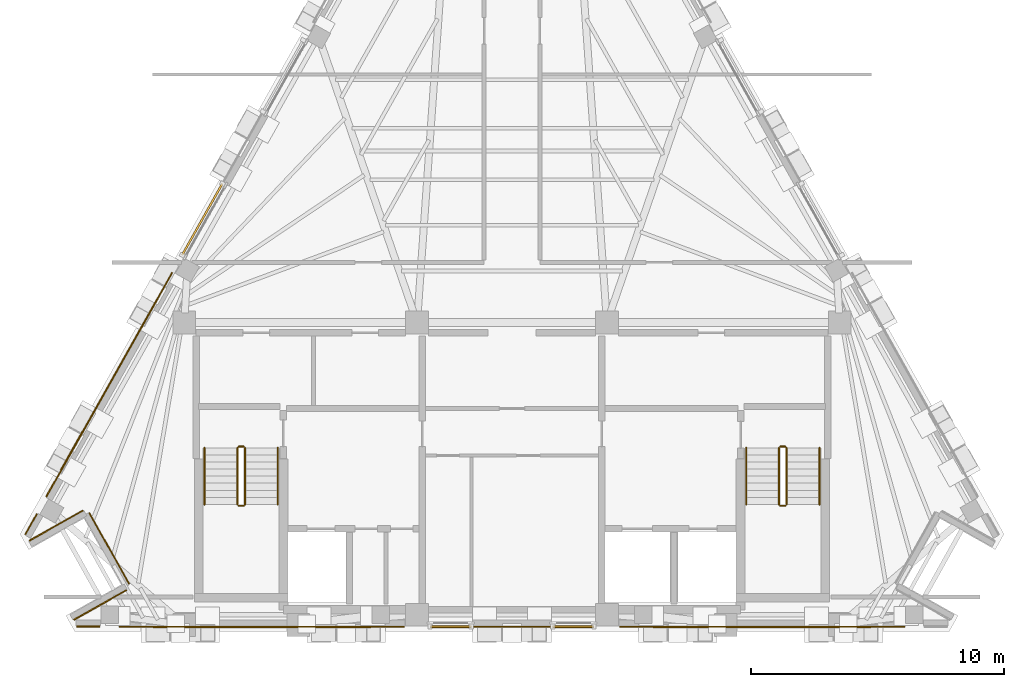
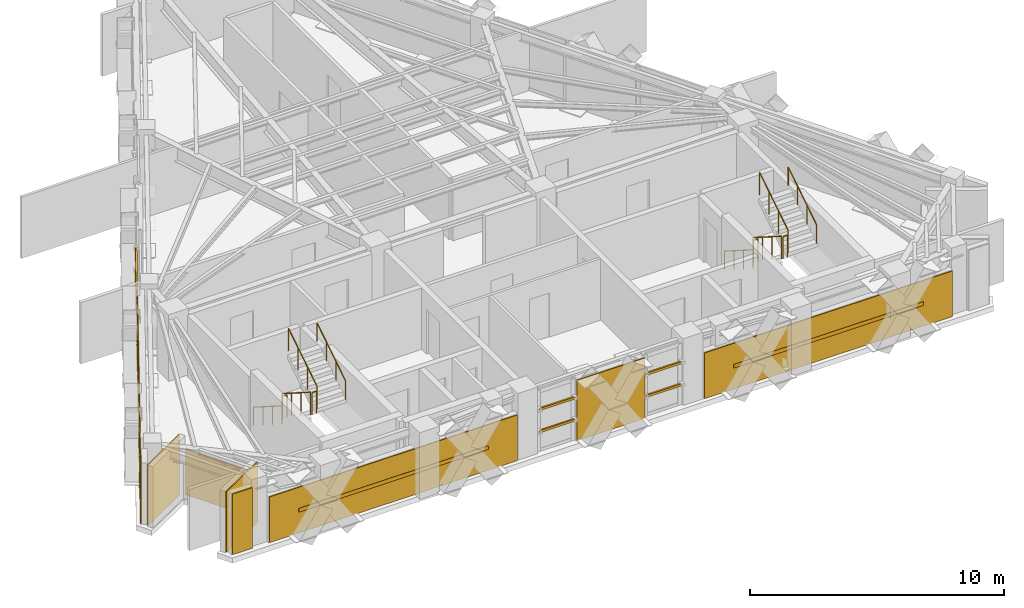
# One storey, part 7 of 8: 12 railings, 9 coverings, 9 shading devices.
"""IFC4 building model written with IfcOpenShell, lengths in metres."""

from ifc_helpers import new_model, si_unit, direction, frame, origin, origin_2d, place, context, subcontext, project, spatial, polyline, rectangle, circle, outline, extrude, material, layer, layer_set, material_profile, profile_set, type_object, element, save


model = new_model("IFC4")

# Units and contexts
model_context = context("Model", 3, precision=1e-05, world=origin(), true_north=direction((0.0, 1.0)))
body_context = subcontext(model_context, "Body", "Model", "MODEL_VIEW")
ifc_project = project(units=[si_unit("LENGTHUNIT", "METRE"), si_unit("AREAUNIT", "SQUARE_METRE"), si_unit("VOLUMEUNIT", "CUBIC_METRE"), si_unit("PLANEANGLEUNIT", "RADIAN"), si_unit("MASSUNIT", "GRAM", prefix="KILO")], contexts=[model_context])

# Site, building, storey
site_placement = place(None, origin())
site = spatial("IfcSite", under=ifc_project, at=site_placement, CompositionType="ELEMENT")
building_placement = place(site_placement, origin())
building = spatial("IfcBuilding", under=site, at=building_placement, Name="Quenlor Broadcast Tower", CompositionType="ELEMENT")
storey_placement = place(building_placement, frame((0.0, 0.0, 283.699951171875)))
storey = spatial("IfcBuildingStorey", under=building, at=storey_placement, Name="L79", CompositionType="ELEMENT", Elevation=283.699951171875)

# Shading devices
ifc_material_1 = material(Name="Architectural Terracotta Ceramic", Category="masonry")
ifc_material_profile_1 = material_profile(ifc_material_1, rectangle(XDim=0.074951171875, YDim=0.110107421875, at=origin_2d()))
ifc_profile_set_1 = profile_set([ifc_material_profile_1], Name="Architectural Terracotta Ceramic BAG75x110")
shading_device_type_1 = type_object("IfcShadingDeviceType", Name="Copper Terracotta Crown Baguette Screen 110", PredefinedType="USERDEFINED", material=ifc_profile_set_1)
for number, where, z_axis, x_axis, name in (
    (1, (3.239013671875, -16.820556640625, 1.06201171875), (-1.0, 0.0, 0.0), (0.0, -1.0, 0.0), "L79 Terracotta Baguette Screen 1"),
    (2, (3.239013671875, -16.820556640625, 2.1240234375), (-1.0, 0.0, 0.0), (0.0, -1.0, 0.0), "L79 Terracotta Baguette Screen 2"),
    (3, (-1.610107421875, -16.820556640625, 1.06201171875), (-1.0, 0.0, 0.0), (0.0, -1.0, 0.0), "L79 Terracotta Baguette Screen 1"),
    (4, (-1.610107421875, -16.820556640625, 2.1240234375), (-1.0, 0.0, 0.0), (0.0, -1.0, 0.0), "L79 Terracotta Baguette Screen 2"),
):
    element("IfcShadingDevice", number, at=place(storey_placement, frame(where, z_axis=z_axis, x_axis=x_axis)), inside=storey, type_object=shading_device_type_1, Name=name, ObjectType="BAGUETTE", PredefinedType="USERDEFINED", context=body_context, shape_type="SweptSolid", body=[
        extrude(rectangle(XDim=0.074951171875, YDim=0.110107421875, at=origin_2d()), origin(), (0.0, 0.0, 1.0), 1.62890625),
    ])
for number, where, z_axis, x_axis, name in (
    (5, (-13.033935546875, -2.1376953125, 1.06201171875), (0.490293391267, 0.87155745105, 0.0), (-0.87155745105, 0.490293391267, 0.0), "L79 Terracotta Baguette Screen 1"),
    (6, (-13.033935546875, -2.1376953125, 2.1240234375), (0.490293391267, 0.87155745105, 0.0), (-0.87155745105, 0.490293391267, 0.0), "L79 Terracotta Baguette Screen 2"),
):
    element("IfcShadingDevice", number, at=place(storey_placement, frame(where, z_axis=z_axis, x_axis=x_axis)), inside=storey, type_object=shading_device_type_1, Name=name, ObjectType="BAGUETTE", PredefinedType="USERDEFINED", context=body_context, shape_type="SweptSolid", body=[
        extrude(rectangle(XDim=0.074951171875, YDim=0.110107421875, at=origin_2d()), origin(), (0.0, 0.0, 1.0), 3.24462890625),
    ])

# Coverings
ifc_material_2 = material(Name="Architectural Terracotta Ceramic", Category="masonry")
ifc_layer = layer(ifc_material_2, 0.044921875)
ifc_layer_set = layer_set([ifc_layer], Name="Fluted Terracotta Rainscreen Cladding Panel")
covering_type = type_object("IfcCoveringType", Name="Fluted Terracotta Rainscreen Cladding Panel", PredefinedType="CLADDING", material=ifc_layer_set)
covering_1_placement = place(storey_placement, frame((0.0, 0.0, 0.02001953125)))
element("IfcCovering", 7, at=covering_1_placement, inside=storey, type_object=covering_type, Name="L79 Terracotta Rainscreen Cladding L79-SHD-SS1", PredefinedType="CLADDING", context=body_context, shape_type="SweptSolid", body=[
    extrude(outline(polyline([(-16.28271484375, -16.787109375), (-17.18994140625, -16.787109375), (-17.18994140625, -16.83203125), (-16.28271484375, -16.83203125), (-16.28271484375, -16.787109375)])), origin(), (0.0, 0.0, 1.0), 2.909912109375),
])
covering_2_placement = place(storey_placement, frame((0.0, 0.0, 0.02001953125)))
element("IfcCovering", 8, at=covering_2_placement, inside=storey, type_object=covering_type, Name="L79 Terracotta Rainscreen Cladding L79-EW-SA", PredefinedType="CLADDING", context=body_context, shape_type="SweptSolid", body=[
    extrude(outline(polyline([(15.5126953125, -16.797119140625), (4.25, -16.797119140625), (4.25, -16.842041015625), (15.5126953125, -16.842041015625), (15.5126953125, -16.797119140625)])), origin(), (0.0, 0.0, 1.0), 2.194091796875),
])
covering_3_placement = place(storey_placement, frame((0.0, 0.0, 0.02001953125)))
element("IfcCovering", 9, at=covering_3_placement, inside=storey, type_object=covering_type, Name="L79 Terracotta Rainscreen Cladding L79-EW-SC", PredefinedType="CLADDING", context=body_context, shape_type="SweptSolid", body=[
    extrude(outline(polyline([(-4.25, -16.797119140625), (-15.5126953125, -16.797119140625), (-15.5126953125, -16.842041015625), (-4.25, -16.842041015625), (-4.25, -16.797119140625)])), origin(), (0.0, 0.0, 1.0), 2.194091796875),
])
covering_4_placement = place(storey_placement, frame((0.0, 0.0, 0.02001953125)))
element("IfcCovering", 10, at=covering_4_placement, inside=storey, type_object=covering_type, Name="L79 Terracotta Rainscreen Cladding L79-S-SP1", PredefinedType="CLADDING", context=body_context, shape_type="SweptSolid", body=[
    extrude(outline(polyline([(1.5390625, -16.797119140625), (-1.5390625, -16.797119140625), (-1.5390625, -16.842041015625), (1.5390625, -16.842041015625), (1.5390625, -16.797119140625)])), origin(), (0.0, 0.0, 1.0), 2.909912109375),
])
covering_5_placement = place(storey_placement, frame((0.0, 0.0, 0.02001953125)))
element("IfcCovering", 11, at=covering_5_placement, inside=storey, type_object=covering_type, Name="L79 Terracotta Rainscreen Cladding L79-SHD-NWS0", PredefinedType="CLADDING", context=body_context, shape_type="SweptSolid", body=[
    extrude(outline(polyline([(-19.210205078125, -13.185791015625), (-18.751708984375, -12.37109375), (-18.791015625, -12.34912109375), (-19.24951171875, -13.163818359375), (-19.210205078125, -13.185791015625)])), origin(), (0.0, 0.0, 1.0), 2.909912109375),
])
covering_6_placement = place(storey_placement, frame((0.0, 0.0, 0.02001953125)))
element("IfcCovering", 12, at=covering_6_placement, inside=storey, type_object=covering_type, Name="L79 Terracotta Rainscreen Cladding L79-EW-NWA", PredefinedType="CLADDING", context=body_context, shape_type="SweptSolid", body=[
    extrude(outline(polyline([(-18.383056640625, -11.695068359375), (-13.40380859375, -2.843017578125), (-13.443115234375, -2.821044921875), (-18.42236328125, -11.673095703125), (-18.383056640625, -11.695068359375)])), origin(), (0.0, 0.0, 1.0), 2.909912109375),
])
covering_7_placement = place(storey_placement, frame((0.0, 0.0, 0.02001953125)))
element("IfcCovering", 13, at=covering_7_placement, inside=storey, type_object=covering_type, Name="L79 Terracotta Rainscreen Cladding L79-CNR-13", PredefinedType="CLADDING", context=body_context, shape_type="SweptSolid", body=[
    extrude(outline(polyline([(-19.062255859375, -13.444091796875), (-16.935546875, -12.247802734375), (-16.95751953125, -12.208740234375), (-19.084228515625, -13.405029296875), (-19.062255859375, -13.444091796875)])), origin(), (0.0, 0.0, 1.0), 2.909912109375),
])
covering_8_placement = place(storey_placement, frame((0.0, 0.0, 0.02001953125)))
element("IfcCovering", 14, at=covering_8_placement, inside=storey, type_object=covering_type, Name="L79 Terracotta Rainscreen Cladding L79-CNR-14", PredefinedType="CLADDING", context=body_context, shape_type="SweptSolid", body=[
    extrude(outline(polyline([(-16.72265625, -12.3369140625), (-15.14599609375, -15.139892578125), (-15.106689453125, -15.117919921875), (-16.683349609375, -12.31494140625), (-16.72265625, -12.3369140625)])), origin(), (0.0, 0.0, 1.0), 2.194091796875),
])
covering_9_placement = place(storey_placement, frame((0.0, 0.0, 0.02001953125)))
element("IfcCovering", 15, at=covering_9_placement, inside=storey, type_object=covering_type, Name="L79 Terracotta Rainscreen Cladding L79-CNR-15", PredefinedType="CLADDING", context=body_context, shape_type="SweptSolid", body=[
    extrude(outline(polyline([(-15.23486328125, -15.352783203125), (-17.32666015625, -16.529541015625), (-17.3046875, -16.568603515625), (-15.212890625, -15.39208984375), (-15.23486328125, -15.352783203125)])), origin(), (0.0, 0.0, 1.0), 2.909912109375),
])

# Railings
ifc_material_3 = material(Name="Anodised Aluminium", Category="aluminium")
railing_type_1 = type_object("IfcRailingType", Name="Stainless Aluminium Wall Handrail 900", PredefinedType="HANDRAIL", material=ifc_material_3)
railing_1_placement = place(storey_placement, frame((-12.14990234375, -9.75, 0.177734375)))
element("IfcRailing", 16, at=railing_1_placement, inside=storey, type_object=railing_type_1, Name="L79 ST-1 stair handrail 1", PredefinedType="HANDRAIL", context=body_context, shape_type="SweptSolid", body=[
    extrude(circle(Radius=0.02392578125, at=origin_2d()), frame((0.0, 0.0, 0.8759765625), z_axis=(0.0, -0.84418770128, 0.536047689118), x_axis=(1.0, 0.0, 0.0)), (0.0, 0.0, 1.0), 2.6533203125),
    extrude(circle(Radius=0.02099609375, at=origin_2d()), origin(), (0.0, 0.0, 1.0), 0.851806640625),
    extrude(circle(Radius=0.02099609375, at=origin_2d()), frame((0.0, -0.74658203125, 0.47412109375)), (0.0, 0.0, 1.0), 0.851806640625),
    extrude(circle(Radius=0.02099609375, at=origin_2d()), frame((0.0, -1.493408203125, 0.9482421875)), (0.0, 0.0, 1.0), 0.851806640625),
    extrude(circle(Radius=0.02099609375, at=origin_2d()), frame((0.0, -2.239990234375, 1.42236328125)), (0.0, 0.0, 1.0), 0.851806640625),
])
railing_2_placement = place(storey_placement, frame((-9.25, -11.989990234375, 1.77783203125)))
element("IfcRailing", 17, at=railing_2_placement, inside=storey, type_object=railing_type_1, Name="L79 ST-1 stair handrail 2", PredefinedType="HANDRAIL", context=body_context, shape_type="SweptSolid", body=[
    extrude(circle(Radius=0.02392578125, at=origin_2d()), frame((0.0, 0.0, 0.8759765625), z_axis=(0.0, 0.8442293374, 0.53598211339), x_axis=(-1.0, 0.0, 0.0)), (0.0, 0.0, 1.0), 2.6533203125),
    extrude(circle(Radius=0.02099609375, at=origin_2d()), origin(), (0.0, 0.0, 1.0), 0.851806640625),
    extrude(circle(Radius=0.02099609375, at=origin_2d()), frame((0.0, 0.74658203125, 0.47412109375)), (0.0, 0.0, 1.0), 0.851806640625),
    extrude(circle(Radius=0.02099609375, at=origin_2d()), frame((0.0, 1.493408203125, 0.947998046875)), (0.0, 0.0, 1.0), 0.851806640625),
    extrude(circle(Radius=0.02099609375, at=origin_2d()), frame((0.0, 2.239990234375, 1.422119140625)), (0.0, 0.0, 1.0), 0.851806640625),
])
railing_3_placement = place(storey_placement, frame((9.25, -9.75, 0.177734375)))
element("IfcRailing", 18, at=railing_3_placement, inside=storey, type_object=railing_type_1, Name="L79 ST-2 stair handrail 1", PredefinedType="HANDRAIL", context=body_context, shape_type="SweptSolid", body=[
    extrude(circle(Radius=0.02392578125, at=origin_2d()), frame((0.0, 0.0, 0.8759765625), z_axis=(0.0, -0.84418770128, 0.536047689118), x_axis=(1.0, 0.0, 0.0)), (0.0, 0.0, 1.0), 2.6533203125),
    extrude(circle(Radius=0.02099609375, at=origin_2d()), origin(), (0.0, 0.0, 1.0), 0.851806640625),
    extrude(circle(Radius=0.02099609375, at=origin_2d()), frame((0.0, -0.74658203125, 0.47412109375)), (0.0, 0.0, 1.0), 0.851806640625),
    extrude(circle(Radius=0.02099609375, at=origin_2d()), frame((0.0, -1.493408203125, 0.9482421875)), (0.0, 0.0, 1.0), 0.851806640625),
    extrude(circle(Radius=0.02099609375, at=origin_2d()), frame((0.0, -2.239990234375, 1.42236328125)), (0.0, 0.0, 1.0), 0.851806640625),
])
railing_4_placement = place(storey_placement, frame((12.14990234375, -11.989990234375, 1.77783203125)))
element("IfcRailing", 19, at=railing_4_placement, inside=storey, type_object=railing_type_1, Name="L79 ST-2 stair handrail 2", PredefinedType="HANDRAIL", context=body_context, shape_type="SweptSolid", body=[
    extrude(circle(Radius=0.02392578125, at=origin_2d()), frame((0.0, 0.0, 0.8759765625), z_axis=(0.0, 0.8442293374, 0.53598211339), x_axis=(-1.0, 0.0, 0.0)), (0.0, 0.0, 1.0), 2.6533203125),
    extrude(circle(Radius=0.02099609375, at=origin_2d()), origin(), (0.0, 0.0, 1.0), 0.851806640625),
    extrude(circle(Radius=0.02099609375, at=origin_2d()), frame((0.0, 0.74658203125, 0.47412109375)), (0.0, 0.0, 1.0), 0.851806640625),
    extrude(circle(Radius=0.02099609375, at=origin_2d()), frame((0.0, 1.493408203125, 0.947998046875)), (0.0, 0.0, 1.0), 0.851806640625),
    extrude(circle(Radius=0.02099609375, at=origin_2d()), frame((0.0, 2.239990234375, 1.422119140625)), (0.0, 0.0, 1.0), 0.851806640625),
])

# Shading devices
ifc_material_4 = material(Name="Architectural Terracotta Ceramic", Category="masonry")
ifc_material_profile_2 = material_profile(ifc_material_4, rectangle(XDim=0.06005859375, YDim=0.179931640625, at=origin_2d()))
ifc_profile_set_2 = profile_set([ifc_material_profile_2], Name="Architectural Terracotta Ceramic LVR60x180")
shading_device_type_2 = type_object("IfcShadingDeviceType", Name="Terracotta Acoustic Plant Weather Louvre 180", PredefinedType="JALOUSIE", material=ifc_profile_set_2)
for number, where, z_axis, x_axis, name in (
    (20, (14.183837890625, -16.822998046875, 1.116943359375), (-1.0, 0.0, 0.0), (0.0, -1.0, 0.0), "L79 Plant Weather Louvre L79-LV-SA"),
    (21, (-5.57861328125, -16.822998046875, 1.116943359375), (-1.0, 0.0, 0.0), (0.0, -1.0, 0.0), "L79 Plant Weather Louvre L79-LV-SC"),
):
    element("IfcShadingDevice", number, at=place(storey_placement, frame(where, z_axis=z_axis, x_axis=x_axis)), inside=storey, type_object=shading_device_type_2, Name=name, PredefinedType="JALOUSIE", context=body_context, shape_type="SweptSolid", body=[
        extrude(rectangle(XDim=0.06005859375, YDim=0.179931640625, at=origin_2d()), origin(), (0.0, 0.0, 1.0), 8.605224609375),
    ])
shading_device_placement = place(storey_placement, frame((-17.8193359375, -10.639892578125, 1.47509765625), z_axis=(0.490276168503, 0.871567139467, 0.0), x_axis=(-0.871567139467, 0.490276168503, 0.0)))
element("IfcShadingDevice", 22, at=shading_device_placement, inside=storey, type_object=shading_device_type_2, Name="L79 Plant Weather Louvre L79-LV-NWA", PredefinedType="JALOUSIE", context=body_context, shape_type="SweptSolid", body=[
    extrude(rectangle(XDim=0.06005859375, YDim=0.179931640625, at=origin_2d()), origin(), (0.0, 0.0, 1.0), 7.76416015625),
])

# Railings
ifc_material_5 = material(Name="Steel S355", Category="steel")
railing_type_2 = type_object("IfcRailingType", Name="Tubular Steel S355 Stair Guardrail 1100", PredefinedType="BALUSTRADE", material=ifc_material_5)
railing_5_placement = place(storey_placement, frame((-10.85009765625, -9.75, 0.177734375)))
element("IfcRailing", 23, at=railing_5_placement, inside=storey, type_object=railing_type_2, Name="L79 ST-1 stair guard 1", PredefinedType="BALUSTRADE", context=body_context, shape_type="SweptSolid", body=[
    extrude(circle(Radius=0.02392578125, at=origin_2d()), frame((0.0, 0.0, 1.076171875), z_axis=(0.0, -0.84418770128, 0.536047689118), x_axis=(1.0, 0.0, 0.0)), (0.0, 0.0, 1.0), 2.6533203125),
    extrude(circle(Radius=0.02099609375, at=origin_2d()), origin(), (0.0, 0.0, 1.0), 1.052001953125),
    extrude(circle(Radius=0.02099609375, at=origin_2d()), frame((0.0, -0.74658203125, 0.47412109375)), (0.0, 0.0, 1.0), 1.052001953125),
    extrude(circle(Radius=0.02099609375, at=origin_2d()), frame((0.0, -1.493408203125, 0.9482421875)), (0.0, 0.0, 1.0), 1.052001953125),
    extrude(circle(Radius=0.02099609375, at=origin_2d()), frame((0.0, -2.239990234375, 1.42236328125)), (0.0, 0.0, 1.0), 1.052001953125),
])
railing_6_placement = place(storey_placement, frame((-10.800048828125, -12.0400390625, 1.60009765625)))
element("IfcRailing", 24, at=railing_6_placement, inside=storey, type_object=railing_type_2, Name="L79 ST-1 stair guard 2", PredefinedType="BALUSTRADE", context=body_context, shape_type="SweptSolid", body=[
    extrude(circle(Radius=0.02392578125, at=origin_2d()), frame((0.0, 0.0, 1.076171875), z_axis=(1.0, 0.0, 0.0), x_axis=(0.0, 1.0, 0.0)), (0.0, 0.0, 1.0), 0.199951171875),
    extrude(circle(Radius=0.02099609375, at=origin_2d()), origin(), (0.0, 0.0, 1.0), 1.052001953125),
    extrude(circle(Radius=0.02099609375, at=origin_2d()), frame((0.199951171875, 0.0, 0.0)), (0.0, 0.0, 1.0), 1.052001953125),
])
railing_7_placement = place(storey_placement, frame((-10.550048828125, -11.989990234375, 1.77783203125)))
element("IfcRailing", 25, at=railing_7_placement, inside=storey, type_object=railing_type_2, Name="L79 ST-1 stair guard 3", PredefinedType="BALUSTRADE", context=body_context, shape_type="SweptSolid", body=[
    extrude(circle(Radius=0.02392578125, at=origin_2d()), frame((0.0, 0.0, 1.076171875), z_axis=(0.0, 0.8442293374, 0.53598211339), x_axis=(-1.0, 0.0, 0.0)), (0.0, 0.0, 1.0), 2.6533203125),
    extrude(circle(Radius=0.02099609375, at=origin_2d()), origin(), (0.0, 0.0, 1.0), 1.052001953125),
    extrude(circle(Radius=0.02099609375, at=origin_2d()), frame((0.0, 0.74658203125, 0.47412109375)), (0.0, 0.0, 1.0), 1.052001953125),
    extrude(circle(Radius=0.02099609375, at=origin_2d()), frame((0.0, 1.493408203125, 0.947998046875)), (0.0, 0.0, 1.0), 1.052001953125),
    extrude(circle(Radius=0.02099609375, at=origin_2d()), frame((0.0, 2.239990234375, 1.422119140625)), (0.0, 0.0, 1.0), 1.052001953125),
])
railing_8_placement = place(storey_placement, frame((-10.800048828125, -9.699951171875, 0.0)))
element("IfcRailing", 26, at=railing_8_placement, inside=storey, type_object=railing_type_2, Name="L79 ST-1 stair guard 4", PredefinedType="BALUSTRADE", context=body_context, shape_type="SweptSolid", body=[
    extrude(circle(Radius=0.02392578125, at=origin_2d()), frame((0.0, 0.0, 1.076171875), z_axis=(1.0, 0.0, 0.0), x_axis=(0.0, 1.0, 0.0)), (0.0, 0.0, 1.0), 0.199951171875),
    extrude(circle(Radius=0.02099609375, at=origin_2d()), origin(), (0.0, 0.0, 1.0), 1.052001953125),
    extrude(circle(Radius=0.02099609375, at=origin_2d()), frame((0.199951171875, 0.0, 0.0)), (0.0, 0.0, 1.0), 1.052001953125),
])
railing_9_placement = place(storey_placement, frame((10.550048828125, -9.75, 0.177734375)))
element("IfcRailing", 27, at=railing_9_placement, inside=storey, type_object=railing_type_2, Name="L79 ST-2 stair guard 1", PredefinedType="BALUSTRADE", context=body_context, shape_type="SweptSolid", body=[
    extrude(circle(Radius=0.02392578125, at=origin_2d()), frame((0.0, 0.0, 1.076171875), z_axis=(0.0, -0.84418770128, 0.536047689118), x_axis=(1.0, 0.0, 0.0)), (0.0, 0.0, 1.0), 2.6533203125),
    extrude(circle(Radius=0.02099609375, at=origin_2d()), origin(), (0.0, 0.0, 1.0), 1.052001953125),
    extrude(circle(Radius=0.02099609375, at=origin_2d()), frame((0.0, -0.74658203125, 0.47412109375)), (0.0, 0.0, 1.0), 1.052001953125),
    extrude(circle(Radius=0.02099609375, at=origin_2d()), frame((0.0, -1.493408203125, 0.9482421875)), (0.0, 0.0, 1.0), 1.052001953125),
    extrude(circle(Radius=0.02099609375, at=origin_2d()), frame((0.0, -2.239990234375, 1.42236328125)), (0.0, 0.0, 1.0), 1.052001953125),
])
railing_10_placement = place(storey_placement, frame((10.60009765625, -12.0400390625, 1.60009765625)))
element("IfcRailing", 28, at=railing_10_placement, inside=storey, type_object=railing_type_2, Name="L79 ST-2 stair guard 2", PredefinedType="BALUSTRADE", context=body_context, shape_type="SweptSolid", body=[
    extrude(circle(Radius=0.02392578125, at=origin_2d()), frame((0.0, 0.0, 1.076171875), z_axis=(1.0, 0.0, 0.0), x_axis=(0.0, 1.0, 0.0)), (0.0, 0.0, 1.0), 0.199951171875),
    extrude(circle(Radius=0.02099609375, at=origin_2d()), origin(), (0.0, 0.0, 1.0), 1.052001953125),
    extrude(circle(Radius=0.02099609375, at=origin_2d()), frame((0.199951171875, 0.0, 0.0)), (0.0, 0.0, 1.0), 1.052001953125),
])
railing_11_placement = place(storey_placement, frame((10.85009765625, -11.989990234375, 1.77783203125)))
element("IfcRailing", 29, at=railing_11_placement, inside=storey, type_object=railing_type_2, Name="L79 ST-2 stair guard 3", PredefinedType="BALUSTRADE", context=body_context, shape_type="SweptSolid", body=[
    extrude(circle(Radius=0.02392578125, at=origin_2d()), frame((0.0, 0.0, 1.076171875), z_axis=(0.0, 0.8442293374, 0.53598211339), x_axis=(-1.0, 0.0, 0.0)), (0.0, 0.0, 1.0), 2.6533203125),
    extrude(circle(Radius=0.02099609375, at=origin_2d()), origin(), (0.0, 0.0, 1.0), 1.052001953125),
    extrude(circle(Radius=0.02099609375, at=origin_2d()), frame((0.0, 0.74658203125, 0.47412109375)), (0.0, 0.0, 1.0), 1.052001953125),
    extrude(circle(Radius=0.02099609375, at=origin_2d()), frame((0.0, 1.493408203125, 0.947998046875)), (0.0, 0.0, 1.0), 1.052001953125),
    extrude(circle(Radius=0.02099609375, at=origin_2d()), frame((0.0, 2.239990234375, 1.422119140625)), (0.0, 0.0, 1.0), 1.052001953125),
])
railing_12_placement = place(storey_placement, frame((10.60009765625, -9.699951171875, 0.0)))
element("IfcRailing", 30, at=railing_12_placement, inside=storey, type_object=railing_type_2, Name="L79 ST-2 stair guard 4", PredefinedType="BALUSTRADE", context=body_context, shape_type="SweptSolid", body=[
    extrude(circle(Radius=0.02392578125, at=origin_2d()), frame((0.0, 0.0, 1.076171875), z_axis=(1.0, 0.0, 0.0), x_axis=(0.0, 1.0, 0.0)), (0.0, 0.0, 1.0), 0.199951171875),
    extrude(circle(Radius=0.02099609375, at=origin_2d()), origin(), (0.0, 0.0, 1.0), 1.052001953125),
    extrude(circle(Radius=0.02099609375, at=origin_2d()), frame((0.199951171875, 0.0, 0.0)), (0.0, 0.0, 1.0), 1.052001953125),
])

save(model, "model.ifc")
